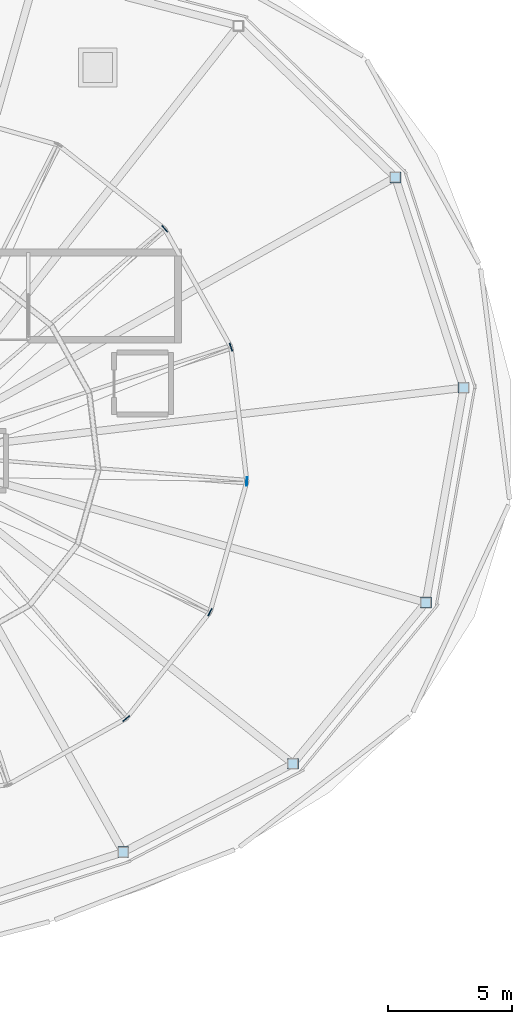
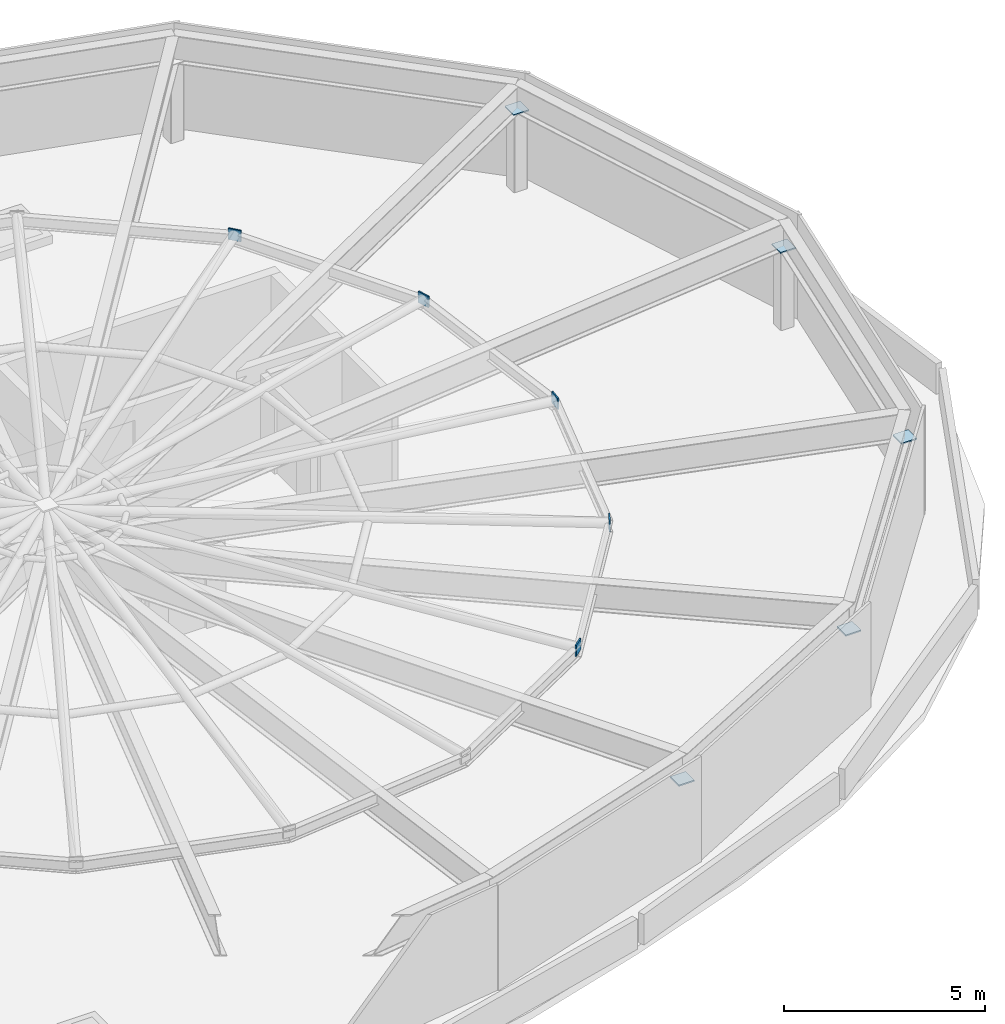
# One storey, part 6 of 9: 10 plates.
"""IFC4 building model written with IfcOpenShell, lengths in metres."""

from ifc_helpers import new_model, si_unit, direction, frame, origin, origin_2d, place, context, subcontext, project, spatial, rectangle, extrude, material, layer, layer_set, type_object, element, save


model = new_model("IFC4")

# Units and contexts
model_context = context("Model", 3, precision=1e-05, world=origin(), true_north=direction((0.0, 1.0)))
body_context = subcontext(model_context, "Body", "Model", "MODEL_VIEW")
ifc_project = project(units=[si_unit("LENGTHUNIT", "METRE"), si_unit("AREAUNIT", "SQUARE_METRE"), si_unit("VOLUMEUNIT", "CUBIC_METRE"), si_unit("PLANEANGLEUNIT", "RADIAN"), si_unit("MASSUNIT", "GRAM", prefix="KILO")], contexts=[model_context])

# Site, building, storey
site_placement = place(None, origin())
site = spatial("IfcSite", under=ifc_project, at=site_placement, CompositionType="ELEMENT")
building_placement = place(site_placement, origin())
building = spatial("IfcBuilding", under=site, at=building_placement, Name="Kazma Halo Residences", CompositionType="ELEMENT")
storey_placement = place(building_placement, frame((0.0, 0.0, 377.60009765625)))
storey = spatial("IfcBuildingStorey", under=building, at=storey_placement, Name="Roof", CompositionType="ELEMENT", Elevation=377.60009765625)

# Plates
ifc_material = material(Name="Steel S355", Category="steel")
ifc_layer = layer(ifc_material, 0.0400390625)
ifc_layer_set = layer_set([ifc_layer], Name="Steel S355")
plate_type = type_object("IfcPlateType", Name="PLT-GUSSET-40", PredefinedType="SHEET", material=ifc_layer_set)
for number, where, z_axis, x_axis, name in (
    (1, (67.940673828125, 53.167236328125, 2.35400390625), (0.0, 0.0, 1.0), (1.0, 0.0, 0.0), "Crown post welded steel cap plate 01"),
    (2, (56.9765625, 25.97119140625, 2.35400390625), (0.0, 0.0, 1.0), (1.0, 0.0, 0.0), "Crown post welded steel cap plate 13"),
    (3, (63.815185546875, 29.532470703125, 2.35400390625), (0.0, 0.0, 1.0), (1.0, 0.0, 0.0), "Crown post welded steel cap plate 14"),
    (4, (69.169921875, 36.029541015625, 2.35400390625), (0.0, 0.0, 1.0), (1.0, 0.0, 0.0), "Crown post welded steel cap plate 15"),
    (5, (70.6962890625, 44.686279296875, 2.35400390625), (0.0, 0.0, 1.0), (1.0, 0.0, 0.0), "Crown post welded steel cap plate 16"),
):
    element("IfcPlate", number, at=place(storey_placement, frame(where, z_axis=z_axis, x_axis=x_axis)), inside=storey, type_object=plate_type, Name=name, PredefinedType="SHEET", context=body_context, shape_type="SweptSolid", body=[
        extrude(rectangle(XDim=0.43994140625, YDim=0.43994140625, at=origin_2d()), origin(), (0.0, 0.0, 1.0), 0.0400390625),
    ])
for number, where, z_axis, x_axis, name in (
    (6, (61.314697265625, 46.326171875, 2.8896484375), (0.0, 0.0, 1.0), (0.951056516295, 0.309016994375, 0.0), "Skylight rafter outer welded end-cap plate 01"),
    (7, (58.645751953125, 51.09228515625, 2.8896484375), (0.0, 0.0, 1.0), (0.7604059656, 0.64944804833, 0.0), "Skylight rafter outer welded end-cap plate 02"),
    (8, (57.09228515625, 31.354248046875, 2.8896484375), (0.0, 0.0, 1.0), (0.64944804833, -0.7604059656, 0.0), "Skylight rafter outer welded end-cap plate 14"),
    (9, (60.47412109375, 35.64404296875, 2.8896484375), (0.0, 0.0, 1.0), (0.891006524188, -0.45399049974, 0.0), "Skylight rafter outer welded end-cap plate 15"),
    (10, (61.956787109375, 40.901611328125, 2.8896484375), (0.0, 0.0, 1.0), (0.996917333733, -0.078459095728, 0.0), "Skylight rafter outer welded end-cap plate 16"),
):
    element("IfcPlate", number, at=place(storey_placement, frame(where, z_axis=z_axis, x_axis=x_axis)), inside=storey, type_object=plate_type, Name=name, PredefinedType="SHEET", context=body_context, shape_type="SweptSolid", body=[
        extrude(rectangle(XDim=0.0400390625, YDim=0.340087890625, at=origin_2d()), origin(), (0.0, 0.0, 1.0), 0.340087890625),
    ])

save(model, "model.ifc")
